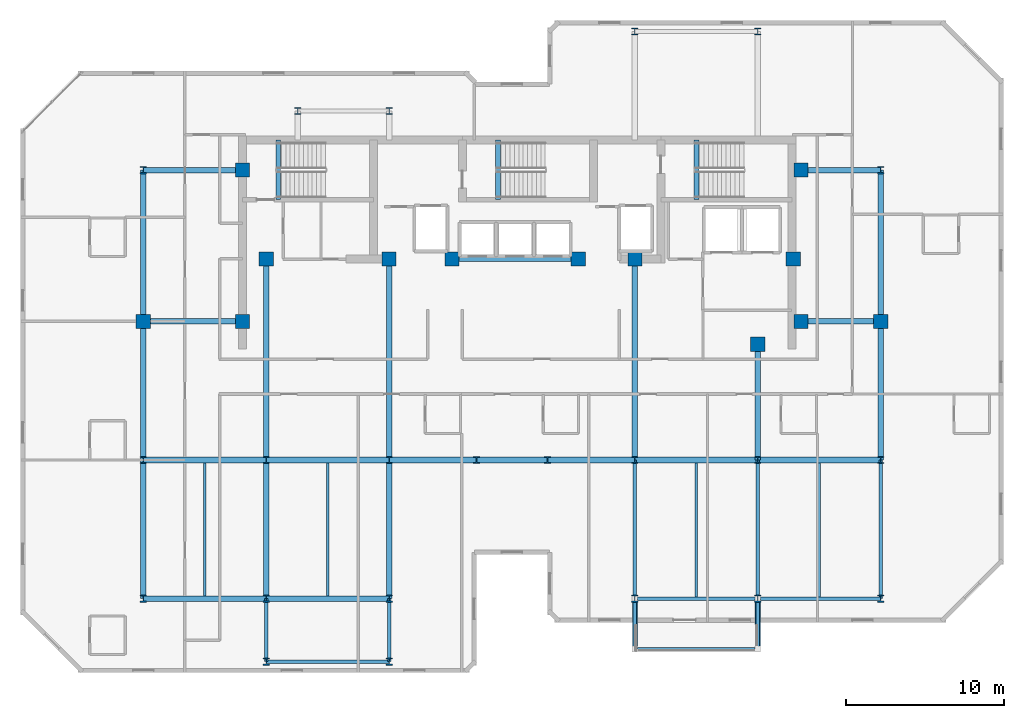
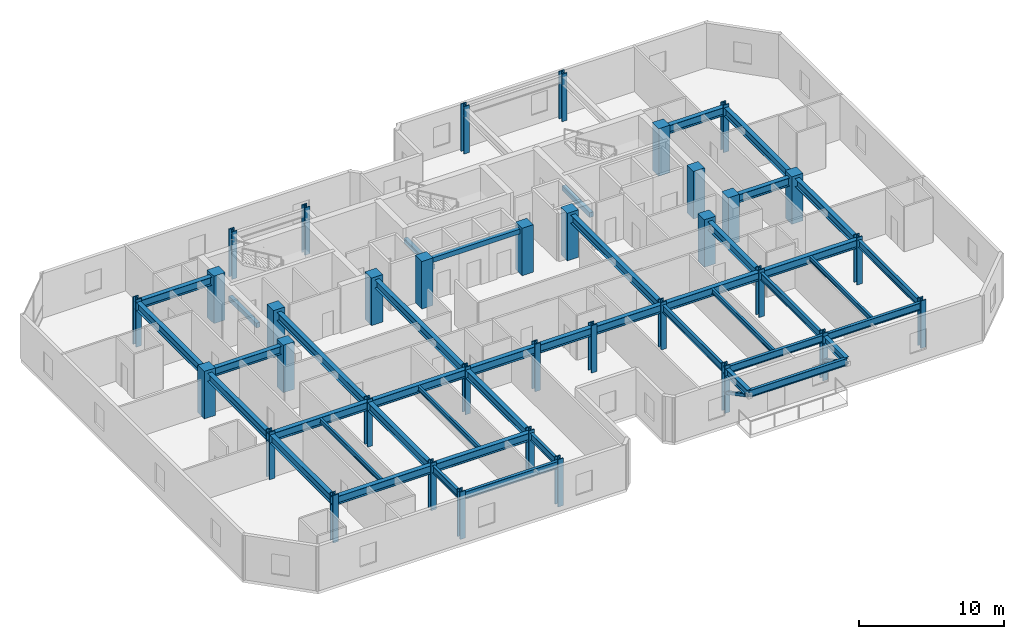
# One storey, part 1 of 11: 43 beams, 35 columns, 2 members.
"""IFC4 building model written with IfcOpenShell, lengths in metres."""

from ifc_helpers import new_model, si_unit, direction, frame, origin, origin_2d, place, context, subcontext, project, spatial, rectangle, hollow_rectangle, i_section, extrude, material, material_profile, profile_set, type_object, element, save


model = new_model("IFC4")

# Units and contexts
model_context = context("Model", 3, precision=1e-05, world=origin(), true_north=direction((0.0, 1.0)))
body_context = subcontext(model_context, "Body", "Model", "MODEL_VIEW")
ifc_project = project(units=[si_unit("LENGTHUNIT", "METRE"), si_unit("AREAUNIT", "SQUARE_METRE"), si_unit("VOLUMEUNIT", "CUBIC_METRE"), si_unit("PLANEANGLEUNIT", "RADIAN"), si_unit("MASSUNIT", "GRAM", prefix="KILO")], contexts=[model_context])

# Site, building, storey
site_placement = place(None, origin())
site = spatial("IfcSite", under=ifc_project, at=site_placement, CompositionType="ELEMENT")
building_placement = place(site_placement, origin())
building = spatial("IfcBuilding", under=site, at=building_placement, Name="Kestravale Grand Hotel", CompositionType="ELEMENT")
storey_placement = place(building_placement, frame((0.0, 0.0, 265.39990234375)))
storey = spatial("IfcBuildingStorey", under=building, at=storey_placement, Name="L66", CompositionType="ELEMENT", Elevation=265.39990234375)

# Columns
ifc_material_1 = material(Name="Concrete f'c 50 MPa", Category="concrete")
ifc_material_profile_1 = material_profile(ifc_material_1, rectangle(XDim=0.89990234375, YDim=0.89990234375, at=origin_2d()))
ifc_profile_set_1 = profile_set([ifc_material_profile_1], Name="Concrete f'c 50 MPa")
column_type_1 = type_object("IfcColumnType", Name="C-Z4-900", PredefinedType="COLUMN", material=ifc_profile_set_1)
for number, where, z_axis, x_axis, name in (
    (1, (15.60009765625, 28.800048828125, 0.0), (0.0, 0.0, 1.0), (1.0, 0.0, 0.0), "L66 column 3-E"),
    (2, (62.39990234375, 28.800048828125, 0.0), (0.0, 0.0, 1.0), (1.0, 0.0, 0.0), "L66 column 10-E"),
    (3, (21.89990234375, 28.800048828125, 0.0), (0.0, 0.0, 1.0), (1.0, 0.0, 0.0), "L66 column CW-E"),
    (4, (21.89990234375, 38.39990234375, 0.0), (0.0, 0.0, 1.0), (1.0, 0.0, 0.0), "L66 column CW-F"),
    (5, (57.35009765625, 28.800048828125, 0.0), (0.0, 0.0, 1.0), (1.0, 0.0, 0.0), "L66 column CE-E"),
    (6, (57.35009765625, 38.39990234375, 0.0), (0.0, 0.0, 1.0), (1.0, 0.0, 0.0), "L66 column CE-F"),
    (7, (23.39990234375, 32.75, 0.0), (0.0, 0.0, 1.0), (1.0, 0.0, 0.0), "L66 column 4-CS"),
    (8, (31.199951171875, 32.75, 0.0), (0.0, 0.0, 1.0), (1.0, 0.0, 0.0), "L66 column 5-CS"),
    (9, (35.199951171875, 32.75, 0.0), (0.0, 0.0, 1.0), (1.0, 0.0, 0.0), "L66 column 6C-CS"),
    (10, (43.199951171875, 32.75, 0.0), (0.0, 0.0, 1.0), (1.0, 0.0, 0.0), "L66 column 7C-CS"),
    (11, (46.800048828125, 32.75, 0.0), (0.0, 0.0, 1.0), (1.0, 0.0, 0.0), "L66 column 8-CS"),
    (12, (54.60009765625, 27.35009765625, 0.0), (0.0, 0.0, 1.0), (1.0, 0.0, 0.0), "L66 column 9-CS"),
    (13, (56.85009765625, 32.75, 0.0), (0.0, 0.0, 1.0), (1.0, 0.0, 0.0), "L66 column 9C-CS"),
):
    element("IfcColumn", number, at=place(storey_placement, frame(where, z_axis=z_axis, x_axis=x_axis)), inside=storey, type_object=column_type_1, Name=name, PredefinedType="COLUMN", context=body_context, shape_type="SweptSolid", body=[
        extrude(rectangle(XDim=0.89990234375, YDim=0.89990234375, at=origin_2d()), origin(), (0.0, 0.0, 1.0), 4.0),
    ])
ifc_material_2 = material(Name="Steel ASTM A992 Grade 50", Category="steel")
ifc_material_profile_2 = material_profile(ifc_material_2, i_section(OverallWidth=0.422119140625, OverallDepth=0.465087890625, WebThickness=0.044921875, FlangeThickness=0.072509765625, FilletRadius=0.0166015625, at=origin_2d()))
ifc_profile_set_2 = profile_set([ifc_material_profile_2], Name="Steel ASTM A992 Grade 50")
column_type_2 = type_object("IfcColumnType", Name="C-Z4-W14X398", PredefinedType="COLUMN", material=ifc_profile_set_2)
for number, where, z_axis, x_axis, name in (
    (14, (15.60009765625, 11.199951171875, 0.0), (0.0, 0.0, 1.0), (1.0, 0.0, 0.0), "L66 column 3-C"),
    (15, (15.60009765625, 20.0, 0.0), (0.0, 0.0, 1.0), (1.0, 0.0, 0.0), "L66 column 3-D"),
    (16, (15.60009765625, 38.39990234375, 0.0), (0.0, 0.0, 1.0), (1.0, 0.0, 0.0), "L66 column 3-F"),
    (17, (23.39990234375, 11.199951171875, 0.0), (0.0, 0.0, 1.0), (1.0, 0.0, 0.0), "L66 column 4-C"),
    (18, (23.39990234375, 20.0, 0.0), (0.0, 0.0, 1.0), (1.0, 0.0, 0.0), "L66 column 4-D"),
    (19, (31.199951171875, 11.199951171875, 0.0), (0.0, 0.0, 1.0), (1.0, 0.0, 0.0), "L66 column 5-C"),
    (20, (31.199951171875, 20.0, 0.0), (0.0, 0.0, 1.0), (1.0, 0.0, 0.0), "L66 column 5-D"),
    (21, (36.75, 20.0, 0.0), (0.0, 0.0, 1.0), (1.0, 0.0, 0.0), "L66 column 6-D"),
    (22, (41.25, 20.0, 0.0), (0.0, 0.0, 1.0), (1.0, 0.0, 0.0), "L66 column 7-D"),
    (23, (46.800048828125, 11.199951171875, 0.0), (0.0, 0.0, 1.0), (1.0, 0.0, 0.0), "L66 column 8-C"),
    (24, (46.800048828125, 20.0, 0.0), (0.0, 0.0, 1.0), (1.0, 0.0, 0.0), "L66 column 8-D"),
    (25, (46.800048828125, 47.199951171875, 0.0), (0.0, 0.0, 1.0), (1.0, 0.0, 0.0), "L66 column 8-G"),
    (26, (54.60009765625, 11.199951171875, 0.0), (0.0, 0.0, 1.0), (1.0, 0.0, 0.0), "L66 column 9-C"),
    (27, (54.60009765625, 20.0, 0.0), (0.0, 0.0, 1.0), (1.0, 0.0, 0.0), "L66 column 9-D"),
    (28, (54.60009765625, 47.199951171875, 0.0), (0.0, 0.0, 1.0), (1.0, 0.0, 0.0), "L66 column 9-G"),
    (29, (62.39990234375, 11.199951171875, 0.0), (0.0, 0.0, 1.0), (1.0, 0.0, 0.0), "L66 column 10-C"),
    (30, (62.39990234375, 20.0, 0.0), (0.0, 0.0, 1.0), (1.0, 0.0, 0.0), "L66 column 10-D"),
    (31, (62.39990234375, 38.39990234375, 0.0), (0.0, 0.0, 1.0), (1.0, 0.0, 0.0), "L66 column 10-F"),
    (32, (23.39990234375, 7.199951171875, 0.0), (0.0, 0.0, 1.0), (1.0, 0.0, 0.0), "L66 column 4-BS"),
    (33, (31.199951171875, 7.199951171875, 0.0), (0.0, 0.0, 1.0), (1.0, 0.0, 0.0), "L66 column 5-BS"),
    (34, (25.39990234375, 42.14990234375, 0.0), (0.0, 0.0, 1.0), (1.0, 0.0, 0.0), "L66 column 4-FN"),
    (35, (31.199951171875, 42.14990234375, 0.0), (0.0, 0.0, 1.0), (1.0, 0.0, 0.0), "L66 column 5-FN"),
):
    element("IfcColumn", number, at=place(storey_placement, frame(where, z_axis=z_axis, x_axis=x_axis)), inside=storey, type_object=column_type_2, Name=name, PredefinedType="COLUMN", context=body_context, shape_type="SweptSolid", body=[
        extrude(i_section(OverallWidth=0.422119140625, OverallDepth=0.465087890625, WebThickness=0.044921875, FlangeThickness=0.072509765625, FilletRadius=0.0166015625, at=origin_2d()), origin(), (0.0, 0.0, 1.0), 4.0),
    ])

# Beams
ifc_material_3 = material(Name="Steel ASTM A992 Grade 50", Category="steel")
ifc_material_profile_3 = material_profile(ifc_material_3, i_section(OverallWidth=0.177978515625, OverallDepth=0.404052734375, WebThickness=0.007568359375, FlangeThickness=0.010986328125, FilletRadius=0.01416015625, at=origin_2d()))
ifc_profile_set_3 = profile_set([ifc_material_profile_3], Name="Steel ASTM A992 Grade 50")
beam_type_1 = type_object("IfcBeamType", Name="B-FLR-JST16", PredefinedType="JOIST", material=ifc_profile_set_3)
for number, where, z_axis, x_axis, name in (
    (36, (19.5, 11.3779296875, 3.55810546875), (0.0, 1.0, 0.0), (-1.0, 0.0, 0.0), "L66 floor joist 3-4/C-D #1"),
    (37, (27.300048828125, 11.3779296875, 3.55810546875), (0.0, 1.0, 0.0), (-1.0, 0.0, 0.0), "L66 floor joist 4-5/C-D #1"),
):
    element("IfcBeam", number, at=place(storey_placement, frame(where, z_axis=z_axis, x_axis=x_axis)), inside=storey, type_object=beam_type_1, Name=name, PredefinedType="JOIST", context=body_context, shape_type="SweptSolid", body=[
        extrude(i_section(OverallWidth=0.177978515625, OverallDepth=0.404052734375, WebThickness=0.007568359375, FlangeThickness=0.010986328125, FilletRadius=0.01416015625, at=origin_2d()), origin(), (0.0, 0.0, 1.0), 8.444091796875),
    ])
for number, where, z_axis, x_axis, name in (
    (38, (50.699951171875, 11.314453125, 3.55810546875), (0.0, 1.0, 0.0), (-1.0, 0.0, 0.0), "L66 floor joist 8-9/C-D #1"),
    (39, (58.5, 11.314453125, 3.55810546875), (0.0, 1.0, 0.0), (-1.0, 0.0, 0.0), "L66 floor joist 9-10/C-D #1"),
):
    element("IfcBeam", number, at=place(storey_placement, frame(where, z_axis=z_axis, x_axis=x_axis)), inside=storey, type_object=beam_type_1, Name=name, PredefinedType="JOIST", context=body_context, shape_type="SweptSolid", body=[
        extrude(i_section(OverallWidth=0.177978515625, OverallDepth=0.404052734375, WebThickness=0.007568359375, FlangeThickness=0.010986328125, FilletRadius=0.01416015625, at=origin_2d()), origin(), (0.0, 0.0, 1.0), 8.507568359375),
    ])
ifc_material_4 = material(Name="Concrete f'c 45 MPa", Category="concrete")
ifc_material_profile_4 = material_profile(ifc_material_4, rectangle(XDim=0.300048828125, YDim=0.39990234375, at=origin_2d()))
ifc_profile_set_4 = profile_set([ifc_material_profile_4], Name="Concrete f'c 45 MPa")
beam_type_2 = type_object("IfcBeamType", Name="B-FLR-LNT400", PredefinedType="LINTEL", material=ifc_profile_set_4)
beam_1_placement = place(storey_placement, frame((35.199951171875, 32.75, 3.56005859375), z_axis=(1.0, 0.0, 0.0), x_axis=(0.0, 1.0, 0.0)))
element("IfcBeam", 40, at=beam_1_placement, inside=storey, type_object=beam_type_2, Name="L66 core portal header lintel", PredefinedType="LINTEL", context=body_context, shape_type="SweptSolid", body=[
    extrude(rectangle(XDim=0.300048828125, YDim=0.39990234375, at=origin_2d()), origin(), (0.0, 0.0, 1.0), 8.0),
])
for number, where, z_axis, x_axis, name in (
    (41, (24.159912109375, 36.52001953125, -0.199951171875), (0.0, 1.0, 0.0), (-1.0, 0.0, 0.0), "L66 ST1 flight bottom header beam"),
    (42, (38.110107421875, 36.52001953125, -0.199951171875), (0.0, 1.0, 0.0), (-1.0, 0.0, 0.0), "L66 ST2 flight bottom header beam"),
    (43, (50.7099609375, 36.52001953125, -0.199951171875), (0.0, 1.0, 0.0), (-1.0, 0.0, 0.0), "L66 ST3 flight bottom header beam"),
):
    element("IfcBeam", number, at=place(storey_placement, frame(where, z_axis=z_axis, x_axis=x_axis)), inside=storey, type_object=beam_type_2, Name=name, PredefinedType="LINTEL", context=body_context, shape_type="SweptSolid", body=[
        extrude(rectangle(XDim=0.300048828125, YDim=0.39990234375, at=origin_2d()), origin(), (0.0, 0.0, 1.0), 3.800048828125),
    ])
ifc_material_5 = material(Name="Steel ASTM A992 Grade 50", Category="steel")
ifc_material_profile_5 = material_profile(ifc_material_5, i_section(OverallWidth=0.324951171875, OverallDepth=0.612060546875, WebThickness=0.0126953125, FlangeThickness=0.01904296875, FilletRadius=0.018798828125, at=origin_2d()))
ifc_profile_set_5 = profile_set([ifc_material_profile_5], Name="Steel ASTM A992 Grade 50")
beam_type_3 = type_object("IfcBeamType", Name="B-FLR-W24A", PredefinedType="SPANDREL", material=ifc_profile_set_5)
for number, where, z_axis, x_axis, name in (
    (44, (46.800048828125, 11.199951171875, 3.424072265625), (0.0, -1.0, 0.0), (1.0, 0.0, 0.0), "L67 terrace cantilever beam 1"),
    (45, (54.60009765625, 11.199951171875, 3.424072265625), (0.0, -1.0, 0.0), (1.0, 0.0, 0.0), "L67 terrace cantilever beam 2"),
):
    element("IfcBeam", number, at=place(storey_placement, frame(where, z_axis=z_axis, x_axis=x_axis)), inside=storey, type_object=beam_type_3, Name=name, PredefinedType="SPANDREL", context=body_context, shape_type="SweptSolid", body=[
        extrude(i_section(OverallWidth=0.324951171875, OverallDepth=0.612060546875, WebThickness=0.0126953125, FlangeThickness=0.01904296875, FilletRadius=0.018798828125, at=origin_2d()), origin(), (0.0, 0.0, 1.0), 3.199951171875),
    ])
ifc_material_6 = material(Name="Steel ASTM A992 Grade 50", Category="steel")
ifc_material_profile_6 = material_profile(ifc_material_6, i_section(OverallWidth=0.22900390625, OverallDepth=0.612060546875, WebThickness=0.011962890625, FlangeThickness=0.01953125, FilletRadius=0.019287109375, at=origin_2d()))
ifc_profile_set_6 = profile_set([ifc_material_profile_6], Name="Steel ASTM A992 Grade 50")
beam_type_4 = type_object("IfcBeamType", Name="B-FLR-W24B", PredefinedType="SPANDREL", material=ifc_profile_set_6)
beam_2_placement = place(storey_placement, frame((46.800048828125, 11.199951171875, 3.4541015625), z_axis=(1.0, 0.0, 0.0), x_axis=(0.0, 1.0, 0.0)))
element("IfcBeam", 46, at=beam_2_placement, inside=storey, type_object=beam_type_4, Name="L66 spandrel C:8-9", PredefinedType="SPANDREL", context=body_context, shape_type="SweptSolid", body=[
    extrude(i_section(OverallWidth=0.22900390625, OverallDepth=0.612060546875, WebThickness=0.011962890625, FlangeThickness=0.01953125, FilletRadius=0.019287109375, at=origin_2d()), origin(), (0.0, 0.0, 1.0), 7.800048828125),
])
beam_3_placement = place(storey_placement, frame((54.60009765625, 11.199951171875, 3.4541015625), z_axis=(1.0, 0.0, 0.0), x_axis=(0.0, 1.0, 0.0)))
element("IfcBeam", 47, at=beam_3_placement, inside=storey, type_object=beam_type_4, Name="L66 spandrel C:9-10", PredefinedType="SPANDREL", context=body_context, shape_type="SweptSolid", body=[
    extrude(i_section(OverallWidth=0.22900390625, OverallDepth=0.612060546875, WebThickness=0.011962890625, FlangeThickness=0.01953125, FilletRadius=0.019287109375, at=origin_2d()), origin(), (0.0, 0.0, 1.0), 7.7998046875),
])
beam_4_placement = place(storey_placement, frame((23.39990234375, 7.199951171875, 3.4541015625), z_axis=(1.0, 0.0, 0.0), x_axis=(0.0, 1.0, 0.0)))
element("IfcBeam", 48, at=beam_4_placement, inside=storey, type_object=beam_type_4, Name="L66 perimeter tie spandrel BS:4-5", PredefinedType="SPANDREL", context=body_context, shape_type="SweptSolid", body=[
    extrude(i_section(OverallWidth=0.22900390625, OverallDepth=0.612060546875, WebThickness=0.011962890625, FlangeThickness=0.01953125, FilletRadius=0.019287109375, at=origin_2d()), origin(), (0.0, 0.0, 1.0), 7.800048828125),
])
for number, where, z_axis, x_axis, name in (
    (49, (23.39990234375, 7.199951171875, 3.4541015625), (0.0, 1.0, 0.0), (-1.0, 0.0, 0.0), "L66 spandrel 4:BS-C"),
    (50, (31.199951171875, 7.199951171875, 3.4541015625), (0.0, 1.0, 0.0), (-1.0, 0.0, 0.0), "L66 spandrel 5:BS-C"),
):
    element("IfcBeam", number, at=place(storey_placement, frame(where, z_axis=z_axis, x_axis=x_axis)), inside=storey, type_object=beam_type_4, Name=name, PredefinedType="SPANDREL", context=body_context, shape_type="SweptSolid", body=[
        extrude(i_section(OverallWidth=0.22900390625, OverallDepth=0.612060546875, WebThickness=0.011962890625, FlangeThickness=0.01953125, FilletRadius=0.019287109375, at=origin_2d()), origin(), (0.0, 0.0, 1.0), 4.0),
    ])
for number, where, z_axis, x_axis, name in (
    (51, (46.800048828125, 11.199951171875, 3.4541015625), (0.0, 1.0, 0.0), (-1.0, 0.0, 0.0), "L66 spandrel 8:C-D"),
    (52, (54.60009765625, 11.199951171875, 3.4541015625), (0.0, 1.0, 0.0), (-1.0, 0.0, 0.0), "L66 spandrel 9:C-D"),
    (53, (62.39990234375, 11.199951171875, 3.4541015625), (0.0, 1.0, 0.0), (-1.0, 0.0, 0.0), "L66 spandrel 10:C-D"),
):
    element("IfcBeam", number, at=place(storey_placement, frame(where, z_axis=z_axis, x_axis=x_axis)), inside=storey, type_object=beam_type_4, Name=name, PredefinedType="SPANDREL", context=body_context, shape_type="SweptSolid", body=[
        extrude(i_section(OverallWidth=0.22900390625, OverallDepth=0.612060546875, WebThickness=0.011962890625, FlangeThickness=0.01953125, FilletRadius=0.019287109375, at=origin_2d()), origin(), (0.0, 0.0, 1.0), 8.800048828125),
    ])
beam_5_placement = place(storey_placement, frame((46.800048828125, 8.0, 3.424072265625), z_axis=(1.0, 0.0, 0.0), x_axis=(0.0, 1.0, 0.0)))
element("IfcBeam", 54, at=beam_5_placement, inside=storey, type_object=beam_type_4, Name="L67 terrace edge spandrel", PredefinedType="SPANDREL", context=body_context, shape_type="SweptSolid", body=[
    extrude(i_section(OverallWidth=0.22900390625, OverallDepth=0.612060546875, WebThickness=0.011962890625, FlangeThickness=0.01953125, FilletRadius=0.019287109375, at=origin_2d()), origin(), (0.0, 0.0, 1.0), 7.800048828125),
])
ifc_material_7 = material(Name="Steel ASTM A992 Grade 50", Category="steel")
ifc_material_profile_7 = material_profile(ifc_material_7, i_section(OverallWidth=0.35595703125, OverallDepth=0.696044921875, WebThickness=0.015380859375, FlangeThickness=0.02490234375, FilletRadius=0.021240234375, at=origin_2d()))
ifc_profile_set_7 = profile_set([ifc_material_profile_7], Name="Steel ASTM A992 Grade 50")
beam_type_5 = type_object("IfcBeamType", Name="B-GRD-W27", PredefinedType="BEAM", material=ifc_profile_set_7)
beam_6_placement = place(storey_placement, frame((15.60009765625, 11.199951171875, 3.412109375), z_axis=(1.0, 0.0, 0.0), x_axis=(0.0, 1.0, 0.0)))
element("IfcBeam", 55, at=beam_6_placement, inside=storey, type_object=beam_type_5, Name="L66 girder C:3-4", PredefinedType="BEAM", context=body_context, shape_type="SweptSolid", body=[
    extrude(i_section(OverallWidth=0.35595703125, OverallDepth=0.696044921875, WebThickness=0.015380859375, FlangeThickness=0.02490234375, FilletRadius=0.021240234375, at=origin_2d()), origin(), (0.0, 0.0, 1.0), 7.7998046875),
])
beam_7_placement = place(storey_placement, frame((23.39990234375, 11.199951171875, 3.412109375), z_axis=(1.0, 0.0, 0.0), x_axis=(0.0, 1.0, 0.0)))
element("IfcBeam", 56, at=beam_7_placement, inside=storey, type_object=beam_type_5, Name="L66 girder C:4-5", PredefinedType="BEAM", context=body_context, shape_type="SweptSolid", body=[
    extrude(i_section(OverallWidth=0.35595703125, OverallDepth=0.696044921875, WebThickness=0.015380859375, FlangeThickness=0.02490234375, FilletRadius=0.021240234375, at=origin_2d()), origin(), (0.0, 0.0, 1.0), 7.800048828125),
])
beam_8_placement = place(storey_placement, frame((15.60009765625, 20.0, 3.412109375), z_axis=(1.0, 0.0, 0.0), x_axis=(0.0, 1.0, 0.0)))
element("IfcBeam", 57, at=beam_8_placement, inside=storey, type_object=beam_type_5, Name="L66 girder D:3-4", PredefinedType="BEAM", context=body_context, shape_type="SweptSolid", body=[
    extrude(i_section(OverallWidth=0.35595703125, OverallDepth=0.696044921875, WebThickness=0.015380859375, FlangeThickness=0.02490234375, FilletRadius=0.021240234375, at=origin_2d()), origin(), (0.0, 0.0, 1.0), 7.7998046875),
])
beam_9_placement = place(storey_placement, frame((23.39990234375, 20.0, 3.412109375), z_axis=(1.0, 0.0, 0.0), x_axis=(0.0, 1.0, 0.0)))
element("IfcBeam", 58, at=beam_9_placement, inside=storey, type_object=beam_type_5, Name="L66 girder D:4-5", PredefinedType="BEAM", context=body_context, shape_type="SweptSolid", body=[
    extrude(i_section(OverallWidth=0.35595703125, OverallDepth=0.696044921875, WebThickness=0.015380859375, FlangeThickness=0.02490234375, FilletRadius=0.021240234375, at=origin_2d()), origin(), (0.0, 0.0, 1.0), 7.800048828125),
])
beam_10_placement = place(storey_placement, frame((31.199951171875, 20.0, 3.412109375), z_axis=(1.0, 0.0, 0.0), x_axis=(0.0, 1.0, 0.0)))
element("IfcBeam", 59, at=beam_10_placement, inside=storey, type_object=beam_type_5, Name="L66 girder D:5-6", PredefinedType="BEAM", context=body_context, shape_type="SweptSolid", body=[
    extrude(i_section(OverallWidth=0.35595703125, OverallDepth=0.696044921875, WebThickness=0.015380859375, FlangeThickness=0.02490234375, FilletRadius=0.021240234375, at=origin_2d()), origin(), (0.0, 0.0, 1.0), 5.550048828125),
])
beam_11_placement = place(storey_placement, frame((36.75, 20.0, 3.412109375), z_axis=(1.0, 0.0, 0.0), x_axis=(0.0, 1.0, 0.0)))
element("IfcBeam", 60, at=beam_11_placement, inside=storey, type_object=beam_type_5, Name="L66 girder D:6-7", PredefinedType="BEAM", context=body_context, shape_type="SweptSolid", body=[
    extrude(i_section(OverallWidth=0.35595703125, OverallDepth=0.696044921875, WebThickness=0.015380859375, FlangeThickness=0.02490234375, FilletRadius=0.021240234375, at=origin_2d()), origin(), (0.0, 0.0, 1.0), 4.5),
])
beam_12_placement = place(storey_placement, frame((41.25, 20.0, 3.412109375), z_axis=(1.0, 0.0, 0.0), x_axis=(0.0, 1.0, 0.0)))
element("IfcBeam", 61, at=beam_12_placement, inside=storey, type_object=beam_type_5, Name="L66 girder D:7-8", PredefinedType="BEAM", context=body_context, shape_type="SweptSolid", body=[
    extrude(i_section(OverallWidth=0.35595703125, OverallDepth=0.696044921875, WebThickness=0.015380859375, FlangeThickness=0.02490234375, FilletRadius=0.021240234375, at=origin_2d()), origin(), (0.0, 0.0, 1.0), 5.550048828125),
])
beam_13_placement = place(storey_placement, frame((46.800048828125, 20.0, 3.412109375), z_axis=(1.0, 0.0, 0.0), x_axis=(0.0, 1.0, 0.0)))
element("IfcBeam", 62, at=beam_13_placement, inside=storey, type_object=beam_type_5, Name="L66 girder D:8-9", PredefinedType="BEAM", context=body_context, shape_type="SweptSolid", body=[
    extrude(i_section(OverallWidth=0.35595703125, OverallDepth=0.696044921875, WebThickness=0.015380859375, FlangeThickness=0.02490234375, FilletRadius=0.021240234375, at=origin_2d()), origin(), (0.0, 0.0, 1.0), 7.800048828125),
])
beam_14_placement = place(storey_placement, frame((54.60009765625, 20.0, 3.412109375), z_axis=(1.0, 0.0, 0.0), x_axis=(0.0, 1.0, 0.0)))
element("IfcBeam", 63, at=beam_14_placement, inside=storey, type_object=beam_type_5, Name="L66 girder D:9-10", PredefinedType="BEAM", context=body_context, shape_type="SweptSolid", body=[
    extrude(i_section(OverallWidth=0.35595703125, OverallDepth=0.696044921875, WebThickness=0.015380859375, FlangeThickness=0.02490234375, FilletRadius=0.021240234375, at=origin_2d()), origin(), (0.0, 0.0, 1.0), 7.7998046875),
])
beam_15_placement = place(storey_placement, frame((15.60009765625, 28.800048828125, 3.412109375), z_axis=(1.0, 0.0, 0.0), x_axis=(0.0, 1.0, 0.0)))
element("IfcBeam", 64, at=beam_15_placement, inside=storey, type_object=beam_type_5, Name="L66 girder E:3-CW", PredefinedType="BEAM", context=body_context, shape_type="SweptSolid", body=[
    extrude(i_section(OverallWidth=0.35595703125, OverallDepth=0.696044921875, WebThickness=0.015380859375, FlangeThickness=0.02490234375, FilletRadius=0.021240234375, at=origin_2d()), origin(), (0.0, 0.0, 1.0), 6.2998046875),
])
beam_16_placement = place(storey_placement, frame((57.35009765625, 28.800048828125, 3.412109375), z_axis=(1.0, 0.0, 0.0), x_axis=(0.0, 1.0, 0.0)))
element("IfcBeam", 65, at=beam_16_placement, inside=storey, type_object=beam_type_5, Name="L66 girder E:CE-10", PredefinedType="BEAM", context=body_context, shape_type="SweptSolid", body=[
    extrude(i_section(OverallWidth=0.35595703125, OverallDepth=0.696044921875, WebThickness=0.015380859375, FlangeThickness=0.02490234375, FilletRadius=0.021240234375, at=origin_2d()), origin(), (0.0, 0.0, 1.0), 5.0498046875),
])
beam_17_placement = place(storey_placement, frame((15.60009765625, 38.39990234375, 3.412109375), z_axis=(1.0, 0.0, 0.0), x_axis=(0.0, 1.0, 0.0)))
element("IfcBeam", 66, at=beam_17_placement, inside=storey, type_object=beam_type_5, Name="L66 girder F:3-CW", PredefinedType="BEAM", context=body_context, shape_type="SweptSolid", body=[
    extrude(i_section(OverallWidth=0.35595703125, OverallDepth=0.696044921875, WebThickness=0.015380859375, FlangeThickness=0.02490234375, FilletRadius=0.021240234375, at=origin_2d()), origin(), (0.0, 0.0, 1.0), 6.2998046875),
])
beam_18_placement = place(storey_placement, frame((57.35009765625, 38.39990234375, 3.412109375), z_axis=(1.0, 0.0, 0.0), x_axis=(0.0, 1.0, 0.0)))
element("IfcBeam", 67, at=beam_18_placement, inside=storey, type_object=beam_type_5, Name="L66 girder F:CE-10", PredefinedType="BEAM", context=body_context, shape_type="SweptSolid", body=[
    extrude(i_section(OverallWidth=0.35595703125, OverallDepth=0.696044921875, WebThickness=0.015380859375, FlangeThickness=0.02490234375, FilletRadius=0.021240234375, at=origin_2d()), origin(), (0.0, 0.0, 1.0), 5.0498046875),
])
for number, where, z_axis, x_axis, name in (
    (68, (15.60009765625, 11.199951171875, 3.412109375), (0.0, 1.0, 0.0), (-1.0, 0.0, 0.0), "L66 girder 3:C-D"),
    (69, (15.60009765625, 20.0, 3.412109375), (0.0, 1.0, 0.0), (-1.0, 0.0, 0.0), "L66 girder 3:D-E"),
):
    element("IfcBeam", number, at=place(storey_placement, frame(where, z_axis=z_axis, x_axis=x_axis)), inside=storey, type_object=beam_type_5, Name=name, PredefinedType="BEAM", context=body_context, shape_type="SweptSolid", body=[
        extrude(i_section(OverallWidth=0.35595703125, OverallDepth=0.696044921875, WebThickness=0.015380859375, FlangeThickness=0.02490234375, FilletRadius=0.021240234375, at=origin_2d()), origin(), (0.0, 0.0, 1.0), 8.800048828125),
    ])
beam_19_placement = place(storey_placement, frame((15.60009765625, 28.800048828125, 3.412109375), z_axis=(0.0, 1.0, 0.0), x_axis=(-1.0, 0.0, 0.0)))
element("IfcBeam", 70, at=beam_19_placement, inside=storey, type_object=beam_type_5, Name="L66 girder 3:E-F", PredefinedType="BEAM", context=body_context, shape_type="SweptSolid", body=[
    extrude(i_section(OverallWidth=0.35595703125, OverallDepth=0.696044921875, WebThickness=0.015380859375, FlangeThickness=0.02490234375, FilletRadius=0.021240234375, at=origin_2d()), origin(), (0.0, 0.0, 1.0), 9.599853515625),
])
beam_20_placement = place(storey_placement, frame((23.39990234375, 11.199951171875, 3.412109375), z_axis=(0.0, 1.0, 0.0), x_axis=(-1.0, 0.0, 0.0)))
element("IfcBeam", 71, at=beam_20_placement, inside=storey, type_object=beam_type_5, Name="L66 girder 4:C-D", PredefinedType="BEAM", context=body_context, shape_type="SweptSolid", body=[
    extrude(i_section(OverallWidth=0.35595703125, OverallDepth=0.696044921875, WebThickness=0.015380859375, FlangeThickness=0.02490234375, FilletRadius=0.021240234375, at=origin_2d()), origin(), (0.0, 0.0, 1.0), 8.800048828125),
])
beam_21_placement = place(storey_placement, frame((23.39990234375, 20.0, 3.412109375), z_axis=(0.0, 1.0, 0.0), x_axis=(-1.0, 0.0, 0.0)))
element("IfcBeam", 72, at=beam_21_placement, inside=storey, type_object=beam_type_5, Name="L66 girder 4:D-CS", PredefinedType="BEAM", context=body_context, shape_type="SweptSolid", body=[
    extrude(i_section(OverallWidth=0.35595703125, OverallDepth=0.696044921875, WebThickness=0.015380859375, FlangeThickness=0.02490234375, FilletRadius=0.021240234375, at=origin_2d()), origin(), (0.0, 0.0, 1.0), 12.75),
])
beam_22_placement = place(storey_placement, frame((31.199951171875, 11.199951171875, 3.412109375), z_axis=(0.0, 1.0, 0.0), x_axis=(-1.0, 0.0, 0.0)))
element("IfcBeam", 73, at=beam_22_placement, inside=storey, type_object=beam_type_5, Name="L66 girder 5:C-D", PredefinedType="BEAM", context=body_context, shape_type="SweptSolid", body=[
    extrude(i_section(OverallWidth=0.35595703125, OverallDepth=0.696044921875, WebThickness=0.015380859375, FlangeThickness=0.02490234375, FilletRadius=0.021240234375, at=origin_2d()), origin(), (0.0, 0.0, 1.0), 8.800048828125),
])
for number, where, z_axis, x_axis, name in (
    (74, (31.199951171875, 20.0, 3.412109375), (0.0, 1.0, 0.0), (-1.0, 0.0, 0.0), "L66 girder 5:D-CS"),
    (75, (46.800048828125, 20.0, 3.412109375), (0.0, 1.0, 0.0), (-1.0, 0.0, 0.0), "L66 girder 8:D-CS"),
):
    element("IfcBeam", number, at=place(storey_placement, frame(where, z_axis=z_axis, x_axis=x_axis)), inside=storey, type_object=beam_type_5, Name=name, PredefinedType="BEAM", context=body_context, shape_type="SweptSolid", body=[
        extrude(i_section(OverallWidth=0.35595703125, OverallDepth=0.696044921875, WebThickness=0.015380859375, FlangeThickness=0.02490234375, FilletRadius=0.021240234375, at=origin_2d()), origin(), (0.0, 0.0, 1.0), 12.75),
    ])
beam_23_placement = place(storey_placement, frame((54.60009765625, 20.0, 3.412109375), z_axis=(0.0, 1.0, 0.0), x_axis=(-1.0, 0.0, 0.0)))
element("IfcBeam", 76, at=beam_23_placement, inside=storey, type_object=beam_type_5, Name="L66 girder 9:D-CS", PredefinedType="BEAM", context=body_context, shape_type="SweptSolid", body=[
    extrude(i_section(OverallWidth=0.35595703125, OverallDepth=0.696044921875, WebThickness=0.015380859375, FlangeThickness=0.02490234375, FilletRadius=0.021240234375, at=origin_2d()), origin(), (0.0, 0.0, 1.0), 7.35009765625),
])
beam_24_placement = place(storey_placement, frame((62.39990234375, 20.0, 3.412109375), z_axis=(0.0, 1.0, 0.0), x_axis=(-1.0, 0.0, 0.0)))
element("IfcBeam", 77, at=beam_24_placement, inside=storey, type_object=beam_type_5, Name="L66 girder 10:D-E", PredefinedType="BEAM", context=body_context, shape_type="SweptSolid", body=[
    extrude(i_section(OverallWidth=0.35595703125, OverallDepth=0.696044921875, WebThickness=0.015380859375, FlangeThickness=0.02490234375, FilletRadius=0.021240234375, at=origin_2d()), origin(), (0.0, 0.0, 1.0), 8.800048828125),
])
beam_25_placement = place(storey_placement, frame((62.39990234375, 28.800048828125, 3.412109375), z_axis=(0.0, 1.0, 0.0), x_axis=(-1.0, 0.0, 0.0)))
element("IfcBeam", 78, at=beam_25_placement, inside=storey, type_object=beam_type_5, Name="L66 girder 10:E-F", PredefinedType="BEAM", context=body_context, shape_type="SweptSolid", body=[
    extrude(i_section(OverallWidth=0.35595703125, OverallDepth=0.696044921875, WebThickness=0.015380859375, FlangeThickness=0.02490234375, FilletRadius=0.021240234375, at=origin_2d()), origin(), (0.0, 0.0, 1.0), 9.599853515625),
])

# Members
ifc_material_8 = material(Name="Steel ASTM A500 Grade C", Category="steel")
ifc_material_profile_8 = material_profile(ifc_material_8, hollow_rectangle(XDim=0.25, YDim=0.25, WallThickness=0.011962890625, InnerFilletRadius=0.011962890625, OuterFilletRadius=0.02392578125, at=origin_2d()))
ifc_profile_set_8 = profile_set([ifc_material_profile_8], Name="Steel ASTM A500 Grade C")
member_type = type_object("IfcMemberType", Name="M-BLT-STR250", PredefinedType="STRUT", material=ifc_profile_set_8)
for number, where, z_axis, x_axis, name in (
    (79, (46.800048828125, 11.199951171875, 1.57421875), (0.0, -0.883118336548, 0.46915029964), (1.0, 0.0, 0.0), "L67 terrace knee-brace strut 1"),
    (80, (54.60009765625, 11.199951171875, 1.57421875), (0.0, -0.883118336548, 0.46915029964), (1.0, 0.0, 0.0), "L67 terrace knee-brace strut 2"),
):
    element("IfcMember", number, at=place(storey_placement, frame(where, z_axis=z_axis, x_axis=x_axis)), inside=storey, type_object=member_type, Name=name, PredefinedType="STRUT", context=body_context, shape_type="SweptSolid", body=[
        extrude(hollow_rectangle(XDim=0.25, YDim=0.25, WallThickness=0.011962890625, InnerFilletRadius=0.011962890625, OuterFilletRadius=0.02392578125, at=origin_2d()), origin(), (0.0, 0.0, 1.0), 3.62353515625),
    ])

save(model, "model.ifc")
